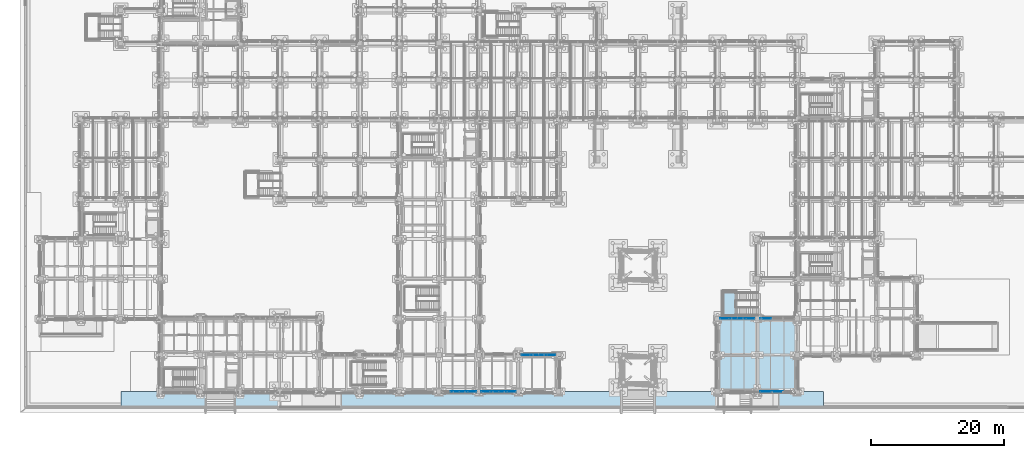
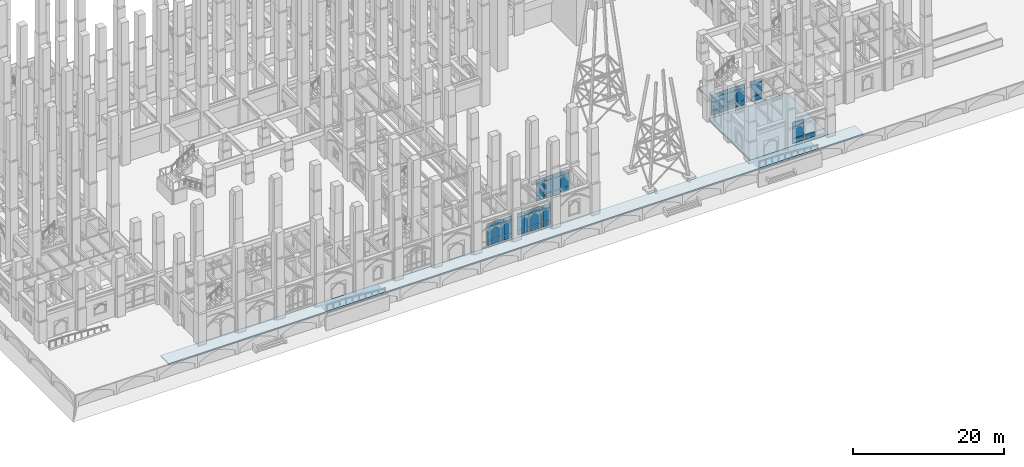
# One storey, part 54 of 135: 52 plates, 3 slabs, 7 elements without a shape of their own.
"""IFC4 building model written with IfcOpenShell, lengths in metres."""

from ifc_helpers import new_model, si_unit, direction, frame, origin, origin_2d, place, context, subcontext, project, spatial, polyline, rectangle, outline, extrude, material, layer, layer_set, type_object, element, aggregate, save


model = new_model("IFC4")

# Units and contexts
model_context = context("Model", 3, precision=1e-05, world=origin(), true_north=direction((0.0, 1.0)))
body_context = subcontext(model_context, "Body", "Model", "MODEL_VIEW")
ifc_project = project(units=[si_unit("LENGTHUNIT", "METRE"), si_unit("AREAUNIT", "SQUARE_METRE"), si_unit("VOLUMEUNIT", "CUBIC_METRE"), si_unit("PLANEANGLEUNIT", "RADIAN"), si_unit("MASSUNIT", "GRAM", prefix="KILO")], contexts=[model_context])

# Site, building, storey
site_placement = place(None, origin())
site = spatial("IfcSite", under=ifc_project, at=site_placement, CompositionType="ELEMENT")
building_placement = place(site_placement, origin())
building = spatial("IfcBuilding", under=site, at=building_placement, Name="Cumevento Cable Car Station", CompositionType="ELEMENT")
storey_placement = place(building_placement, origin())
storey = spatial("IfcBuildingStorey", under=building, at=storey_placement, Name="L01", CompositionType="ELEMENT", Elevation=0.0)

# Slabs
ifc_material_1 = material(Name="Concrete C40/50", Category="concrete")
ifc_layer_1 = layer(ifc_material_1, 0.330078125)
ifc_layer_set_1 = layer_set([ifc_layer_1], Name="Concrete C40/50")
slab_type_1 = type_object("IfcSlabType", Name="Concrete Deck BS-330 330", PredefinedType="BASESLAB", material=ifc_layer_set_1)
slab_1_placement = place(storey_placement, frame((0.0, 0.0, -0.330078125)))
element("IfcSlab", 1, at=slab_1_placement, inside=storey, type_object=slab_type_1, Name="Base Slab BS-330 L01 B_V2a.1", PredefinedType="BASESLAB", context=body_context, shape_type="SweptSolid", body=[
    extrude(outline(polyline([(106.0, 4.0), (118.0, 4.0), (118.0, 15.0), (106.0, 15.0), (106.0, 4.0)])), origin(), (0.0, 0.0, 1.0), 0.330078125),
])
ifc_material_2 = material(Name="Concrete C40/50", Category="concrete")
ifc_layer_2 = layer(ifc_material_2, 0.25)
ifc_layer_set_2 = layer_set([ifc_layer_2], Name="Concrete C40/50")
slab_type_2 = type_object("IfcSlabType", Name="Exterior Apron Slab AP-250", PredefinedType="BASESLAB", material=ifc_layer_set_2)
slab_2_placement = place(storey_placement, frame((0.0, 0.0, -0.25)))
element("IfcSlab", 2, at=slab_2_placement, inside=storey, type_object=slab_type_2, Name="Exterior Paved Apron apron_S_entry #1", PredefinedType="BASESLAB", context=body_context, shape_type="SweptSolid", body=[
    extrude(outline(polyline([(122.0, 4.0), (122.0, 1.800048828125), (16.0, 1.800048828125), (16.0, 4.0), (21.989990234375, 4.0), (21.989990234375, 3.9990234375), (21.990234375, 3.998046875), (21.990478515625, 3.9970703125), (21.99072265625, 3.99609375), (21.9912109375, 3.995361328125), (21.99169921875, 3.994384765625), (21.9921875, 3.99365234375), (21.992919921875, 3.992919921875), (21.99365234375, 3.9921875), (21.994384765625, 3.99169921875), (21.995361328125, 3.9912109375), (21.99609375, 3.99072265625), (21.9970703125, 3.990478515625), (21.998046875, 3.990234375), (21.9990234375, 3.989990234375), (22.0, 3.989990234375), (82.0, 3.989990234375), (82.0009765625, 3.989990234375), (82.001953125, 3.990234375), (82.0029296875, 3.990478515625), (82.00390625, 3.99072265625), (82.004638671875, 3.9912109375), (82.005615234375, 3.99169921875), (82.00634765625, 3.9921875), (82.007080078125, 3.992919921875), (82.0078125, 3.99365234375), (82.00830078125, 3.994384765625), (82.0087890625, 3.995361328125), (82.00927734375, 3.99609375), (82.009521484375, 3.9970703125), (82.009765625, 3.998046875), (82.010009765625, 3.9990234375), (82.010009765625, 4.0), (105.989990234375, 4.0), (105.989990234375, 3.9990234375), (105.990234375, 3.998046875), (105.990478515625, 3.9970703125), (105.99072265625, 3.99609375), (105.9912109375, 3.995361328125), (105.99169921875, 3.994384765625), (105.9921875, 3.99365234375), (105.992919921875, 3.992919921875), (105.99365234375, 3.9921875), (105.994384765625, 3.99169921875), (105.995361328125, 3.9912109375), (105.99609375, 3.99072265625), (105.9970703125, 3.990478515625), (105.998046875, 3.990234375), (105.9990234375, 3.989990234375), (106.0, 3.989990234375), (118.0, 3.989990234375), (118.0009765625, 3.989990234375), (118.001953125, 3.990234375), (118.0029296875, 3.990478515625), (118.00390625, 3.99072265625), (118.004638671875, 3.9912109375), (118.005615234375, 3.99169921875), (118.00634765625, 3.9921875), (118.007080078125, 3.992919921875), (118.0078125, 3.99365234375), (118.00830078125, 3.994384765625), (118.0087890625, 3.995361328125), (118.00927734375, 3.99609375), (118.009521484375, 3.9970703125), (118.009765625, 3.998046875), (118.010009765625, 3.9990234375), (118.010009765625, 4.0), (122.0, 4.0)])), origin(), (0.0, 0.0, 1.0), 0.25),
])

# Curtain wall, plates
ifc_material_3 = material(Name="Anodised Bronze Aluminium AW-6063-T6", Category="aluminium")
ifc_layer_3 = layer(ifc_material_3, 0.2080078125)
ifc_layer_set_3 = layer_set([ifc_layer_3], Name="Anodised Bronze Aluminium AW-6063-T6")
curtain_wall_type_1 = type_object("IfcCurtainWallType", Name="Lancet Curtain Wall CW-09 1370", PredefinedType="NOTDEFINED", material=ifc_layer_set_3)
curtain_wall_1_placement = place(storey_placement, origin())
curtain_wall_1 = element("IfcCurtainWall", 3, at=curtain_wall_1_placement, inside=storey, type_object=curtain_wall_type_1, Name="Lancet Curtain Wall CW-09 L01 #8", PredefinedType="NOTDEFINED")
ifc_material_4 = material(Name="Insulated Bronze Aluminium Spandrel Panel", Category="aluminium")
ifc_layer_4 = layer(ifc_material_4, 0.054931640625)
ifc_layer_set_4 = layer_set([ifc_layer_4], Name="Insulated Bronze Aluminium Spandrel Panel")
plate_type_1 = type_object("IfcPlateType", Name="Spandrel Panel CWP-09 55", PredefinedType="CURTAIN_PANEL", material=ifc_layer_set_4)
plate_1_placement = place(storey_placement, frame((68.996337890625, 4.0, 0.22509765625), z_axis=(0.0, 0.0, 1.0), x_axis=(-1.0, 0.0, 0.0)))
plate_1 = element("IfcPlate", 4, at=plate_1_placement, type_object=plate_type_1, Name="CW-09 panel 1.1", PredefinedType="CURTAIN_PANEL", context=body_context, shape_type="SweptSolid", body=[
    extrude(rectangle(XDim=1.2275390625, YDim=0.054931640625, at=origin_2d()), origin(), (0.0, 0.0, 1.0), 0.75244140625),
])
plate_2_placement = place(storey_placement, frame((68.996337890625, 4.0, 1.04248046875), z_axis=(0.0, 0.0, 1.0), x_axis=(-1.0, 0.0, 0.0)))
plate_2 = element("IfcPlate", 5, at=plate_2_placement, type_object=plate_type_1, Name="CW-09 panel 1.2", PredefinedType="CURTAIN_PANEL", context=body_context, shape_type="SweptSolid", body=[
    extrude(rectangle(XDim=1.2275390625, YDim=0.054931640625, at=origin_2d()), origin(), (0.0, 0.0, 1.0), 2.093994140625),
])
plate_3_placement = place(storey_placement, frame((68.996337890625, 4.0, 3.201416015625), z_axis=(0.0, 0.0, 1.0), x_axis=(-1.0, 0.0, 0.0)))
plate_3 = element("IfcPlate", 6, at=plate_3_placement, type_object=plate_type_1, Name="CW-09 panel 1.3", PredefinedType="CURTAIN_PANEL", context=body_context, shape_type="SweptSolid", body=[
    extrude(rectangle(XDim=1.2275390625, YDim=0.054931640625, at=origin_2d()), origin(), (0.0, 0.0, 1.0), 0.6025390625),
])
plate_4_placement = place(storey_placement, frame((67.6875, 4.0, 0.22509765625), z_axis=(0.0, 0.0, 1.0), x_axis=(-1.0, 0.0, 0.0)))
plate_4 = element("IfcPlate", 7, at=plate_4_placement, type_object=plate_type_1, Name="CW-09 panel 2.1", PredefinedType="CURTAIN_PANEL", context=body_context, shape_type="SweptSolid", body=[
    extrude(rectangle(XDim=1.260009765625, YDim=0.054931640625, at=origin_2d()), origin(), (0.0, 0.0, 1.0), 0.75244140625),
])
plate_5_placement = place(storey_placement, frame((67.6875, 4.0, 1.04248046875), z_axis=(0.0, 0.0, 1.0), x_axis=(-1.0, 0.0, 0.0)))
plate_5 = element("IfcPlate", 8, at=plate_5_placement, type_object=plate_type_1, Name="CW-09 panel 2.2", PredefinedType="CURTAIN_PANEL", context=body_context, shape_type="SweptSolid", body=[
    extrude(rectangle(XDim=1.260009765625, YDim=0.054931640625, at=origin_2d()), origin(), (0.0, 0.0, 1.0), 2.093994140625),
])
plate_6_placement = place(storey_placement, frame((67.6875, 4.0, 3.201416015625), z_axis=(0.0, 0.0, 1.0), x_axis=(-1.0, 0.0, 0.0)))
plate_6 = element("IfcPlate", 9, at=plate_6_placement, type_object=plate_type_1, Name="CW-09 panel 2.3", PredefinedType="CURTAIN_PANEL", context=body_context, shape_type="SweptSolid", body=[
    extrude(rectangle(XDim=1.260009765625, YDim=0.054931640625, at=origin_2d()), origin(), (0.0, 0.0, 1.0), 0.6025390625),
])
plate_7_placement = place(storey_placement, frame((66.362548828125, 4.0, 0.22509765625), z_axis=(0.0, 0.0, 1.0), x_axis=(-1.0, 0.0, 0.0)))
plate_7 = element("IfcPlate", 10, at=plate_7_placement, type_object=plate_type_1, Name="CW-09 panel 3.1", PredefinedType="CURTAIN_PANEL", context=body_context, shape_type="SweptSolid", body=[
    extrude(rectangle(XDim=1.260009765625, YDim=0.054931640625, at=origin_2d()), origin(), (0.0, 0.0, 1.0), 0.75244140625),
])
plate_8_placement = place(storey_placement, frame((66.362548828125, 4.0, 1.04248046875), z_axis=(0.0, 0.0, 1.0), x_axis=(-1.0, 0.0, 0.0)))
plate_8 = element("IfcPlate", 11, at=plate_8_placement, type_object=plate_type_1, Name="CW-09 panel 3.2", PredefinedType="CURTAIN_PANEL", context=body_context, shape_type="SweptSolid", body=[
    extrude(rectangle(XDim=1.260009765625, YDim=0.054931640625, at=origin_2d()), origin(), (0.0, 0.0, 1.0), 2.093994140625),
])
plate_9_placement = place(storey_placement, frame((66.362548828125, 4.0, 3.201416015625), z_axis=(0.0, 0.0, 1.0), x_axis=(-1.0, 0.0, 0.0)))
plate_9 = element("IfcPlate", 12, at=plate_9_placement, type_object=plate_type_1, Name="CW-09 panel 3.3", PredefinedType="CURTAIN_PANEL", context=body_context, shape_type="SweptSolid", body=[
    extrude(rectangle(XDim=1.260009765625, YDim=0.054931640625, at=origin_2d()), origin(), (0.0, 0.0, 1.0), 0.6025390625),
])
aggregate(curtain_wall_1, [plate_1, plate_2, plate_3, plate_4, plate_5, plate_6, plate_7, plate_8, plate_9])

ifc_material_5 = material(Name="Anodised Bronze Aluminium AW-6063-T6", Category="aluminium")
ifc_layer_5 = layer(ifc_material_5, 0.214111328125)
ifc_layer_set_5 = layer_set([ifc_layer_5], Name="Anodised Bronze Aluminium AW-6063-T6")
curtain_wall_type_2 = type_object("IfcCurtainWallType", Name="Lancet Curtain Wall CW-10 1410", PredefinedType="NOTDEFINED", material=ifc_layer_set_5)
curtain_wall_2_placement = place(storey_placement, origin())
curtain_wall_2 = element("IfcCurtainWall", 13, at=curtain_wall_2_placement, inside=storey, type_object=curtain_wall_type_2, Name="Lancet Curtain Wall CW-10 L01 #9", PredefinedType="NOTDEFINED")
ifc_material_6 = material(Name="Insulated Bronze Aluminium Spandrel Panel", Category="aluminium")
ifc_layer_6 = layer(ifc_material_6, 0.06005859375)
ifc_layer_set_6 = layer_set([ifc_layer_6], Name="Insulated Bronze Aluminium Spandrel Panel")
plate_type_2 = type_object("IfcPlateType", Name="Spandrel Panel CWP-10 60", PredefinedType="CURTAIN_PANEL", material=ifc_layer_set_6)
plate_10_placement = place(storey_placement, frame((74.9462890625, 4.0, 0.275146484375), z_axis=(0.0, 0.0, 1.0), x_axis=(-1.0, 0.0, 0.0)))
plate_10 = element("IfcPlate", 14, at=plate_10_placement, type_object=plate_type_2, Name="CW-10 panel 1.1", PredefinedType="CURTAIN_PANEL", context=body_context, shape_type="SweptSolid", body=[
    extrude(rectangle(XDim=1.2275390625, YDim=0.06005859375, at=origin_2d()), origin(), (0.0, 0.0, 1.0), 0.75244140625),
])
plate_11_placement = place(storey_placement, frame((74.9462890625, 4.0, 1.092529296875), z_axis=(0.0, 0.0, 1.0), x_axis=(-1.0, 0.0, 0.0)))
plate_11 = element("IfcPlate", 15, at=plate_11_placement, type_object=plate_type_2, Name="CW-10 panel 1.2", PredefinedType="CURTAIN_PANEL", context=body_context, shape_type="SweptSolid", body=[
    extrude(rectangle(XDim=1.2275390625, YDim=0.06005859375, at=origin_2d()), origin(), (0.0, 0.0, 1.0), 2.0439453125),
])
plate_12_placement = place(storey_placement, frame((74.9462890625, 4.0, 3.201416015625), z_axis=(0.0, 0.0, 1.0), x_axis=(-1.0, 0.0, 0.0)))
plate_12 = element("IfcPlate", 16, at=plate_12_placement, type_object=plate_type_2, Name="CW-10 panel 1.3", PredefinedType="CURTAIN_PANEL", context=body_context, shape_type="SweptSolid", body=[
    extrude(rectangle(XDim=1.2275390625, YDim=0.06005859375, at=origin_2d()), origin(), (0.0, 0.0, 1.0), 0.6025390625),
])
plate_13_placement = place(storey_placement, frame((73.637451171875, 4.0, 0.275146484375), z_axis=(0.0, 0.0, 1.0), x_axis=(-1.0, 0.0, 0.0)))
plate_13 = element("IfcPlate", 17, at=plate_13_placement, type_object=plate_type_2, Name="CW-10 panel 2.1", PredefinedType="CURTAIN_PANEL", context=body_context, shape_type="SweptSolid", body=[
    extrude(rectangle(XDim=1.260009765625, YDim=0.06005859375, at=origin_2d()), origin(), (0.0, 0.0, 1.0), 0.75244140625),
])
plate_14_placement = place(storey_placement, frame((73.637451171875, 4.0, 1.092529296875), z_axis=(0.0, 0.0, 1.0), x_axis=(-1.0, 0.0, 0.0)))
plate_14 = element("IfcPlate", 18, at=plate_14_placement, type_object=plate_type_2, Name="CW-10 panel 2.2", PredefinedType="CURTAIN_PANEL", context=body_context, shape_type="SweptSolid", body=[
    extrude(rectangle(XDim=1.260009765625, YDim=0.06005859375, at=origin_2d()), origin(), (0.0, 0.0, 1.0), 2.0439453125),
])
plate_15_placement = place(storey_placement, frame((73.637451171875, 4.0, 3.201416015625), z_axis=(0.0, 0.0, 1.0), x_axis=(-1.0, 0.0, 0.0)))
plate_15 = element("IfcPlate", 19, at=plate_15_placement, type_object=plate_type_2, Name="CW-10 panel 2.3", PredefinedType="CURTAIN_PANEL", context=body_context, shape_type="SweptSolid", body=[
    extrude(rectangle(XDim=1.260009765625, YDim=0.06005859375, at=origin_2d()), origin(), (0.0, 0.0, 1.0), 0.6025390625),
])
plate_16_placement = place(storey_placement, frame((72.3125, 4.0, 0.275146484375), z_axis=(0.0, 0.0, 1.0), x_axis=(-1.0, 0.0, 0.0)))
plate_16 = element("IfcPlate", 20, at=plate_16_placement, type_object=plate_type_2, Name="CW-10 panel 3.1", PredefinedType="CURTAIN_PANEL", context=body_context, shape_type="SweptSolid", body=[
    extrude(rectangle(XDim=1.260009765625, YDim=0.06005859375, at=origin_2d()), origin(), (0.0, 0.0, 1.0), 0.75244140625),
])
plate_17_placement = place(storey_placement, frame((72.3125, 4.0, 1.092529296875), z_axis=(0.0, 0.0, 1.0), x_axis=(-1.0, 0.0, 0.0)))
plate_17 = element("IfcPlate", 21, at=plate_17_placement, type_object=plate_type_2, Name="CW-10 panel 3.2", PredefinedType="CURTAIN_PANEL", context=body_context, shape_type="SweptSolid", body=[
    extrude(rectangle(XDim=1.260009765625, YDim=0.06005859375, at=origin_2d()), origin(), (0.0, 0.0, 1.0), 2.0439453125),
])
plate_18_placement = place(storey_placement, frame((72.3125, 4.0, 3.201416015625), z_axis=(0.0, 0.0, 1.0), x_axis=(-1.0, 0.0, 0.0)))
plate_18 = element("IfcPlate", 22, at=plate_18_placement, type_object=plate_type_2, Name="CW-10 panel 3.3", PredefinedType="CURTAIN_PANEL", context=body_context, shape_type="SweptSolid", body=[
    extrude(rectangle(XDim=1.260009765625, YDim=0.06005859375, at=origin_2d()), origin(), (0.0, 0.0, 1.0), 0.6025390625),
])
plate_19_placement = place(storey_placement, frame((71.003662109375, 4.0, 0.275146484375), z_axis=(0.0, 0.0, 1.0), x_axis=(-1.0, 0.0, 0.0)))
plate_19 = element("IfcPlate", 23, at=plate_19_placement, type_object=plate_type_2, Name="CW-10 panel 4.1", PredefinedType="CURTAIN_PANEL", context=body_context, shape_type="SweptSolid", body=[
    extrude(rectangle(XDim=1.2275390625, YDim=0.06005859375, at=origin_2d()), origin(), (0.0, 0.0, 1.0), 0.75244140625),
])
plate_20_placement = place(storey_placement, frame((71.003662109375, 4.0, 1.092529296875), z_axis=(0.0, 0.0, 1.0), x_axis=(-1.0, 0.0, 0.0)))
plate_20 = element("IfcPlate", 24, at=plate_20_placement, type_object=plate_type_2, Name="CW-10 panel 4.2", PredefinedType="CURTAIN_PANEL", context=body_context, shape_type="SweptSolid", body=[
    extrude(rectangle(XDim=1.2275390625, YDim=0.06005859375, at=origin_2d()), origin(), (0.0, 0.0, 1.0), 2.0439453125),
])
plate_21_placement = place(storey_placement, frame((71.003662109375, 4.0, 3.201416015625), z_axis=(0.0, 0.0, 1.0), x_axis=(-1.0, 0.0, 0.0)))
plate_21 = element("IfcPlate", 25, at=plate_21_placement, type_object=plate_type_2, Name="CW-10 panel 4.3", PredefinedType="CURTAIN_PANEL", context=body_context, shape_type="SweptSolid", body=[
    extrude(rectangle(XDim=1.2275390625, YDim=0.06005859375, at=origin_2d()), origin(), (0.0, 0.0, 1.0), 0.6025390625),
])
aggregate(curtain_wall_2, [plate_10, plate_11, plate_12, plate_13, plate_14, plate_15, plate_16, plate_17, plate_18, plate_19, plate_20, plate_21])

ifc_material_7 = material(Name="Anodised Bronze Aluminium AW-6063-T6", Category="aluminium")
ifc_layer_7 = layer(ifc_material_7, 0.219970703125)
ifc_layer_set_7 = layer_set([ifc_layer_7], Name="Anodised Bronze Aluminium AW-6063-T6")
curtain_wall_type_3 = type_object("IfcCurtainWallType", Name="Lancet Curtain Wall CW-11 1450", PredefinedType="NOTDEFINED", material=ifc_layer_set_7)
curtain_wall_3_placement = place(storey_placement, origin())
curtain_wall_3 = element("IfcCurtainWall", 26, at=curtain_wall_3_placement, inside=storey, type_object=curtain_wall_type_3, Name="Lancet Curtain Wall CW-11 L01 #10", PredefinedType="NOTDEFINED")
ifc_material_8 = material(Name="Insulated Bronze Aluminium Spandrel Panel", Category="aluminium")
ifc_layer_8 = layer(ifc_material_8, 0.06591796875)
ifc_layer_set_8 = layer_set([ifc_layer_8], Name="Insulated Bronze Aluminium Spandrel Panel")
plate_type_3 = type_object("IfcPlateType", Name="Spandrel Panel CWP-11 66", PredefinedType="CURTAIN_PANEL", material=ifc_layer_set_8)
plate_22_placement = place(storey_placement, frame((77.0693359375, 9.5, 0.324951171875), z_axis=(0.0, 0.0, 1.0), x_axis=(1.0, 0.0, 0.0)))
plate_22 = element("IfcPlate", 27, at=plate_22_placement, type_object=plate_type_3, Name="CW-11 panel 1.1", PredefinedType="CURTAIN_PANEL", context=body_context, shape_type="SweptSolid", body=[
    extrude(rectangle(XDim=1.208740234375, YDim=0.06591796875, at=origin_2d()), origin(), (0.0, 0.0, 1.0), 0.75244140625),
])
plate_23_placement = place(storey_placement, frame((77.0693359375, 9.5, 1.142578125), z_axis=(0.0, 0.0, 1.0), x_axis=(1.0, 0.0, 0.0)))
plate_23 = element("IfcPlate", 28, at=plate_23_placement, type_object=plate_type_3, Name="CW-11 panel 1.2", PredefinedType="CURTAIN_PANEL", context=body_context, shape_type="SweptSolid", body=[
    extrude(rectangle(XDim=1.208740234375, YDim=0.06591796875, at=origin_2d()), origin(), (0.0, 0.0, 1.0), 1.993896484375),
])
plate_24_placement = place(storey_placement, frame((77.0693359375, 9.5, 3.201416015625), z_axis=(0.0, 0.0, 1.0), x_axis=(1.0, 0.0, 0.0)))
plate_24 = element("IfcPlate", 29, at=plate_24_placement, type_object=plate_type_3, Name="CW-11 panel 1.3", PredefinedType="CURTAIN_PANEL", context=body_context, shape_type="SweptSolid", body=[
    extrude(rectangle(XDim=1.208740234375, YDim=0.06591796875, at=origin_2d()), origin(), (0.0, 0.0, 1.0), 0.6025390625),
])
plate_25_placement = place(storey_placement, frame((78.359375, 9.5, 0.324951171875), z_axis=(0.0, 0.0, 1.0), x_axis=(1.0, 0.0, 0.0)))
plate_25 = element("IfcPlate", 30, at=plate_25_placement, type_object=plate_type_3, Name="CW-11 panel 2.1", PredefinedType="CURTAIN_PANEL", context=body_context, shape_type="SweptSolid", body=[
    extrude(rectangle(XDim=1.2412109375, YDim=0.06591796875, at=origin_2d()), origin(), (0.0, 0.0, 1.0), 0.75244140625),
])
plate_26_placement = place(storey_placement, frame((78.359375, 9.5, 1.142578125), z_axis=(0.0, 0.0, 1.0), x_axis=(1.0, 0.0, 0.0)))
plate_26 = element("IfcPlate", 31, at=plate_26_placement, type_object=plate_type_3, Name="CW-11 panel 2.2", PredefinedType="CURTAIN_PANEL", context=body_context, shape_type="SweptSolid", body=[
    extrude(rectangle(XDim=1.2412109375, YDim=0.06591796875, at=origin_2d()), origin(), (0.0, 0.0, 1.0), 1.993896484375),
])
plate_27_placement = place(storey_placement, frame((78.359375, 9.5, 3.201416015625), z_axis=(0.0, 0.0, 1.0), x_axis=(1.0, 0.0, 0.0)))
plate_27 = element("IfcPlate", 32, at=plate_27_placement, type_object=plate_type_3, Name="CW-11 panel 2.3", PredefinedType="CURTAIN_PANEL", context=body_context, shape_type="SweptSolid", body=[
    extrude(rectangle(XDim=1.2412109375, YDim=0.06591796875, at=origin_2d()), origin(), (0.0, 0.0, 1.0), 0.6025390625),
])
plate_28_placement = place(storey_placement, frame((79.66552734375, 9.5, 0.324951171875), z_axis=(0.0, 0.0, 1.0), x_axis=(1.0, 0.0, 0.0)))
plate_28 = element("IfcPlate", 33, at=plate_28_placement, type_object=plate_type_3, Name="CW-11 panel 3.1", PredefinedType="CURTAIN_PANEL", context=body_context, shape_type="SweptSolid", body=[
    extrude(rectangle(XDim=1.2412109375, YDim=0.06591796875, at=origin_2d()), origin(), (0.0, 0.0, 1.0), 0.75244140625),
])
plate_29_placement = place(storey_placement, frame((79.66552734375, 9.5, 1.142578125), z_axis=(0.0, 0.0, 1.0), x_axis=(1.0, 0.0, 0.0)))
plate_29 = element("IfcPlate", 34, at=plate_29_placement, type_object=plate_type_3, Name="CW-11 panel 3.2", PredefinedType="CURTAIN_PANEL", context=body_context, shape_type="SweptSolid", body=[
    extrude(rectangle(XDim=1.2412109375, YDim=0.06591796875, at=origin_2d()), origin(), (0.0, 0.0, 1.0), 1.993896484375),
])
plate_30_placement = place(storey_placement, frame((79.66552734375, 9.5, 3.201416015625), z_axis=(0.0, 0.0, 1.0), x_axis=(1.0, 0.0, 0.0)))
plate_30 = element("IfcPlate", 35, at=plate_30_placement, type_object=plate_type_3, Name="CW-11 panel 3.3", PredefinedType="CURTAIN_PANEL", context=body_context, shape_type="SweptSolid", body=[
    extrude(rectangle(XDim=1.2412109375, YDim=0.06591796875, at=origin_2d()), origin(), (0.0, 0.0, 1.0), 0.6025390625),
])
plate_31_placement = place(storey_placement, frame((80.95556640625, 9.5, 0.324951171875), z_axis=(0.0, 0.0, 1.0), x_axis=(1.0, 0.0, 0.0)))
plate_31 = element("IfcPlate", 36, at=plate_31_placement, type_object=plate_type_3, Name="CW-11 panel 4.1", PredefinedType="CURTAIN_PANEL", context=body_context, shape_type="SweptSolid", body=[
    extrude(rectangle(XDim=1.208740234375, YDim=0.06591796875, at=origin_2d()), origin(), (0.0, 0.0, 1.0), 0.75244140625),
])
plate_32_placement = place(storey_placement, frame((80.95556640625, 9.5, 1.142578125), z_axis=(0.0, 0.0, 1.0), x_axis=(1.0, 0.0, 0.0)))
plate_32 = element("IfcPlate", 37, at=plate_32_placement, type_object=plate_type_3, Name="CW-11 panel 4.2", PredefinedType="CURTAIN_PANEL", context=body_context, shape_type="SweptSolid", body=[
    extrude(rectangle(XDim=1.208740234375, YDim=0.06591796875, at=origin_2d()), origin(), (0.0, 0.0, 1.0), 1.993896484375),
])
plate_33_placement = place(storey_placement, frame((80.95556640625, 9.5, 3.201416015625), z_axis=(0.0, 0.0, 1.0), x_axis=(1.0, 0.0, 0.0)))
plate_33 = element("IfcPlate", 38, at=plate_33_placement, type_object=plate_type_3, Name="CW-11 panel 4.3", PredefinedType="CURTAIN_PANEL", context=body_context, shape_type="SweptSolid", body=[
    extrude(rectangle(XDim=1.208740234375, YDim=0.06591796875, at=origin_2d()), origin(), (0.0, 0.0, 1.0), 0.6025390625),
])
aggregate(curtain_wall_3, [plate_22, plate_23, plate_24, plate_25, plate_26, plate_27, plate_28, plate_29, plate_30, plate_31, plate_32, plate_33])

ifc_material_9 = material(Name="Anodised Bronze Aluminium AW-6063-T6", Category="aluminium")
ifc_layer_9 = layer(ifc_material_9, 0.22607421875)
ifc_layer_set_9 = layer_set([ifc_layer_9], Name="Anodised Bronze Aluminium AW-6063-T6")
curtain_wall_type_4 = type_object("IfcCurtainWallType", Name="Lancet Curtain Wall CW-12 1490", PredefinedType="NOTDEFINED", material=ifc_layer_set_9)
curtain_wall_4_placement = place(storey_placement, origin())
curtain_wall_4 = element("IfcCurtainWall", 39, at=curtain_wall_4_placement, inside=storey, type_object=curtain_wall_type_4, Name="Lancet Curtain Wall CW-12 L01 #11", PredefinedType="NOTDEFINED")
ifc_material_10 = material(Name="Insulated Bronze Aluminium Spandrel Panel", Category="aluminium")
ifc_layer_10 = layer(ifc_material_10, 0.072021484375)
ifc_layer_set_10 = layer_set([ifc_layer_10], Name="Insulated Bronze Aluminium Spandrel Panel")
plate_type_4 = type_object("IfcPlateType", Name="Spandrel Panel CWP-12 72", PredefinedType="CURTAIN_PANEL", material=ifc_layer_set_10)
plate_34_placement = place(storey_placement, frame((107.025634765625, 15.0, 0.375), z_axis=(0.0, 0.0, 1.0), x_axis=(1.0, 0.0, 0.0)))
plate_34 = element("IfcPlate", 40, at=plate_34_placement, type_object=plate_type_4, Name="CW-12 panel 1.1", PredefinedType="CURTAIN_PANEL", context=body_context, shape_type="SweptSolid", body=[
    extrude(rectangle(XDim=1.22119140625, YDim=0.072021484375, at=origin_2d()), origin(), (0.0, 0.0, 1.0), 0.75244140625),
])
plate_35_placement = place(storey_placement, frame((107.025634765625, 15.0, 1.192626953125), z_axis=(0.0, 0.0, 1.0), x_axis=(1.0, 0.0, 0.0)))
plate_35 = element("IfcPlate", 41, at=plate_35_placement, type_object=plate_type_4, Name="CW-12 panel 1.2", PredefinedType="CURTAIN_PANEL", context=body_context, shape_type="SweptSolid", body=[
    extrude(rectangle(XDim=1.22119140625, YDim=0.072021484375, at=origin_2d()), origin(), (0.0, 0.0, 1.0), 1.91796875),
])
plate_36_placement = place(storey_placement, frame((107.025634765625, 15.0, 3.175537109375), z_axis=(0.0, 0.0, 1.0), x_axis=(1.0, 0.0, 0.0)))
plate_36 = element("IfcPlate", 42, at=plate_36_placement, type_object=plate_type_4, Name="CW-12 panel 1.3", PredefinedType="CURTAIN_PANEL", context=body_context, shape_type="SweptSolid", body=[
    extrude(rectangle(XDim=1.22119140625, YDim=0.072021484375, at=origin_2d()), origin(), (0.0, 0.0, 1.0), 0.6025390625),
])
plate_37_placement = place(storey_placement, frame((108.328125, 15.0, 0.375), z_axis=(0.0, 0.0, 1.0), x_axis=(1.0, 0.0, 0.0)))
plate_37 = element("IfcPlate", 43, at=plate_37_placement, type_object=plate_type_4, Name="CW-12 panel 2.1", PredefinedType="CURTAIN_PANEL", context=body_context, shape_type="SweptSolid", body=[
    extrude(rectangle(XDim=1.253662109375, YDim=0.072021484375, at=origin_2d()), origin(), (0.0, 0.0, 1.0), 0.75244140625),
])
plate_38_placement = place(storey_placement, frame((108.328125, 15.0, 1.192626953125), z_axis=(0.0, 0.0, 1.0), x_axis=(1.0, 0.0, 0.0)))
plate_38 = element("IfcPlate", 44, at=plate_38_placement, type_object=plate_type_4, Name="CW-12 panel 2.2", PredefinedType="CURTAIN_PANEL", context=body_context, shape_type="SweptSolid", body=[
    extrude(rectangle(XDim=1.253662109375, YDim=0.072021484375, at=origin_2d()), origin(), (0.0, 0.0, 1.0), 1.91796875),
])
plate_39_placement = place(storey_placement, frame((108.328125, 15.0, 3.175537109375), z_axis=(0.0, 0.0, 1.0), x_axis=(1.0, 0.0, 0.0)))
plate_39 = element("IfcPlate", 45, at=plate_39_placement, type_object=plate_type_4, Name="CW-12 panel 2.3", PredefinedType="CURTAIN_PANEL", context=body_context, shape_type="SweptSolid", body=[
    extrude(rectangle(XDim=1.253662109375, YDim=0.072021484375, at=origin_2d()), origin(), (0.0, 0.0, 1.0), 0.6025390625),
])
plate_40_placement = place(storey_placement, frame((109.64697265625, 15.0, 0.375), z_axis=(0.0, 0.0, 1.0), x_axis=(1.0, 0.0, 0.0)))
plate_40 = element("IfcPlate", 46, at=plate_40_placement, type_object=plate_type_4, Name="CW-12 panel 3.1", PredefinedType="CURTAIN_PANEL", context=body_context, shape_type="SweptSolid", body=[
    extrude(rectangle(XDim=1.253662109375, YDim=0.072021484375, at=origin_2d()), origin(), (0.0, 0.0, 1.0), 0.75244140625),
])
plate_41_placement = place(storey_placement, frame((109.64697265625, 15.0, 1.192626953125), z_axis=(0.0, 0.0, 1.0), x_axis=(1.0, 0.0, 0.0)))
plate_41 = element("IfcPlate", 47, at=plate_41_placement, type_object=plate_type_4, Name="CW-12 panel 3.2", PredefinedType="CURTAIN_PANEL", context=body_context, shape_type="SweptSolid", body=[
    extrude(rectangle(XDim=1.253662109375, YDim=0.072021484375, at=origin_2d()), origin(), (0.0, 0.0, 1.0), 1.91796875),
])
plate_42_placement = place(storey_placement, frame((109.64697265625, 15.0, 3.175537109375), z_axis=(0.0, 0.0, 1.0), x_axis=(1.0, 0.0, 0.0)))
plate_42 = element("IfcPlate", 48, at=plate_42_placement, type_object=plate_type_4, Name="CW-12 panel 3.3", PredefinedType="CURTAIN_PANEL", context=body_context, shape_type="SweptSolid", body=[
    extrude(rectangle(XDim=1.253662109375, YDim=0.072021484375, at=origin_2d()), origin(), (0.0, 0.0, 1.0), 0.6025390625),
])
plate_43_placement = place(storey_placement, frame((110.949462890625, 15.0, 0.375), z_axis=(0.0, 0.0, 1.0), x_axis=(1.0, 0.0, 0.0)))
plate_43 = element("IfcPlate", 49, at=plate_43_placement, type_object=plate_type_4, Name="CW-12 panel 4.1", PredefinedType="CURTAIN_PANEL", context=body_context, shape_type="SweptSolid", body=[
    extrude(rectangle(XDim=1.22119140625, YDim=0.072021484375, at=origin_2d()), origin(), (0.0, 0.0, 1.0), 0.75244140625),
])
plate_44_placement = place(storey_placement, frame((110.949462890625, 15.0, 1.192626953125), z_axis=(0.0, 0.0, 1.0), x_axis=(1.0, 0.0, 0.0)))
plate_44 = element("IfcPlate", 50, at=plate_44_placement, type_object=plate_type_4, Name="CW-12 panel 4.2", PredefinedType="CURTAIN_PANEL", context=body_context, shape_type="SweptSolid", body=[
    extrude(rectangle(XDim=1.22119140625, YDim=0.072021484375, at=origin_2d()), origin(), (0.0, 0.0, 1.0), 1.91796875),
])
plate_45_placement = place(storey_placement, frame((110.949462890625, 15.0, 3.175537109375), z_axis=(0.0, 0.0, 1.0), x_axis=(1.0, 0.0, 0.0)))
plate_45 = element("IfcPlate", 51, at=plate_45_placement, type_object=plate_type_4, Name="CW-12 panel 4.3", PredefinedType="CURTAIN_PANEL", context=body_context, shape_type="SweptSolid", body=[
    extrude(rectangle(XDim=1.22119140625, YDim=0.072021484375, at=origin_2d()), origin(), (0.0, 0.0, 1.0), 0.6025390625),
])
aggregate(curtain_wall_4, [plate_34, plate_35, plate_36, plate_37, plate_38, plate_39, plate_40, plate_41, plate_42, plate_43, plate_44, plate_45])

ifc_material_11 = material(Name="Anodised Bronze Aluminium AW-6063-T6", Category="aluminium")
ifc_layer_11 = layer(ifc_material_11, 0.23193359375)
ifc_layer_set_11 = layer_set([ifc_layer_11], Name="Anodised Bronze Aluminium AW-6063-T6")
curtain_wall_type_5 = type_object("IfcCurtainWallType", Name="Lancet Curtain Wall CW-13 1530", PredefinedType="NOTDEFINED", material=ifc_layer_set_11)
curtain_wall_5_placement = place(storey_placement, origin())
curtain_wall_5 = element("IfcCurtainWall", 52, at=curtain_wall_5_placement, inside=storey, type_object=curtain_wall_type_5, Name="Lancet Curtain Wall CW-13 L01 #12", PredefinedType="NOTDEFINED")
ifc_material_12 = material(Name="Insulated Bronze Aluminium Spandrel Panel", Category="aluminium")
ifc_layer_12 = layer(ifc_material_12, 0.077880859375)
ifc_layer_set_12 = layer_set([ifc_layer_12], Name="Insulated Bronze Aluminium Spandrel Panel")
plate_type_5 = type_object("IfcPlateType", Name="Spandrel Panel CWP-13 78", PredefinedType="CURTAIN_PANEL", material=ifc_layer_set_12)
plate_46_placement = place(storey_placement, frame((114.987548828125, 4.0, 0.425048828125), z_axis=(0.0, 0.0, 1.0), x_axis=(-1.0, 0.0, 0.0)))
plate_46 = element("IfcPlate", 53, at=plate_46_placement, type_object=plate_type_5, Name="CW-13 panel 2.1", PredefinedType="CURTAIN_PANEL", context=body_context, shape_type="SweptSolid", body=[
    extrude(rectangle(XDim=1.6767578125, YDim=0.077880859375, at=origin_2d()), origin(), (0.0, 0.0, 1.0), 0.75244140625),
])
plate_47_placement = place(storey_placement, frame((113.261962890625, 4.0, 0.425048828125), z_axis=(0.0, 0.0, 1.0), x_axis=(-1.0, 0.0, 0.0)))
plate_47 = element("IfcPlate", 54, at=plate_47_placement, type_object=plate_type_5, Name="CW-13 panel 3.1", PredefinedType="CURTAIN_PANEL", context=body_context, shape_type="SweptSolid", body=[
    extrude(rectangle(XDim=1.644287109375, YDim=0.077880859375, at=origin_2d()), origin(), (0.0, 0.0, 1.0), 0.75244140625),
])
plate_48_placement = place(storey_placement, frame((113.261962890625, 4.0, 1.24267578125), z_axis=(0.0, 0.0, 1.0), x_axis=(-1.0, 0.0, 0.0)))
plate_48 = element("IfcPlate", 55, at=plate_48_placement, type_object=plate_type_5, Name="CW-13 panel 3.2", PredefinedType="CURTAIN_PANEL", context=body_context, shape_type="SweptSolid", body=[
    extrude(rectangle(XDim=1.644287109375, YDim=0.077880859375, at=origin_2d()), origin(), (0.0, 0.0, 1.0), 1.882080078125),
])
plate_49_placement = place(storey_placement, frame((113.261962890625, 4.0, 3.189453125), z_axis=(0.0, 0.0, 1.0), x_axis=(-1.0, 0.0, 0.0)))
plate_49 = element("IfcPlate", 56, at=plate_49_placement, type_object=plate_type_5, Name="CW-13 panel 3.3", PredefinedType="CURTAIN_PANEL", context=body_context, shape_type="SweptSolid", body=[
    extrude(rectangle(XDim=1.644287109375, YDim=0.077880859375, at=origin_2d()), origin(), (0.0, 0.0, 1.0), 0.6025390625),
])
aggregate(curtain_wall_5, [plate_46, plate_47, plate_48, plate_49])

ifc_material_13 = material(Name="Anodised Bronze Aluminium AW-6063-T6", Category="aluminium")
ifc_layer_13 = layer(ifc_material_13, 0.238037109375)
ifc_layer_set_13 = layer_set([ifc_layer_13], Name="Anodised Bronze Aluminium AW-6063-T6")
curtain_wall_type_6 = type_object("IfcCurtainWallType", Name="Lancet Curtain Wall CW-14 1570", PredefinedType="NOTDEFINED", material=ifc_layer_set_13)
curtain_wall_6_placement = place(storey_placement, origin())
curtain_wall_6 = element("IfcCurtainWall", 57, at=curtain_wall_6_placement, inside=storey, type_object=curtain_wall_type_6, Name="Lancet Curtain Wall CW-14 L01 #13", PredefinedType="NOTDEFINED")
ifc_material_14 = material(Name="Insulated Bronze Aluminium Spandrel Panel", Category="aluminium")
ifc_layer_14 = layer(ifc_material_14, 0.0849609375)
ifc_layer_set_14 = layer_set([ifc_layer_14], Name="Insulated Bronze Aluminium Spandrel Panel")
plate_type_6 = type_object("IfcPlateType", Name="Spandrel Panel CWP-14 85", PredefinedType="CURTAIN_PANEL", material=ifc_layer_set_14)
plate_50_placement = place(storey_placement, frame((113.266357421875, 15.0, 0.47509765625), z_axis=(0.0, 0.0, 1.0), x_axis=(1.0, 0.0, 0.0)))
plate_50 = element("IfcPlate", 58, at=plate_50_placement, type_object=plate_type_6, Name="CW-14 panel 1.1", PredefinedType="CURTAIN_PANEL", context=body_context, shape_type="SweptSolid", body=[
    extrude(rectangle(XDim=1.652587890625, YDim=0.0849609375, at=origin_2d()), origin(), (0.0, 0.0, 1.0), 0.75244140625),
])
plate_51_placement = place(storey_placement, frame((113.266357421875, 15.0, 1.29248046875), z_axis=(0.0, 0.0, 1.0), x_axis=(1.0, 0.0, 0.0)))
plate_51 = element("IfcPlate", 59, at=plate_51_placement, type_object=plate_type_6, Name="CW-14 panel 1.2", PredefinedType="CURTAIN_PANEL", context=body_context, shape_type="SweptSolid", body=[
    extrude(rectangle(XDim=1.652587890625, YDim=0.0849609375, at=origin_2d()), origin(), (0.0, 0.0, 1.0), 1.7958984375),
])
plate_52_placement = place(storey_placement, frame((113.266357421875, 15.0, 3.153564453125), z_axis=(0.0, 0.0, 1.0), x_axis=(1.0, 0.0, 0.0)))
plate_52 = element("IfcPlate", 60, at=plate_52_placement, type_object=plate_type_6, Name="CW-14 panel 1.3", PredefinedType="CURTAIN_PANEL", context=body_context, shape_type="SweptSolid", body=[
    extrude(rectangle(XDim=1.652587890625, YDim=0.0849609375, at=origin_2d()), origin(), (0.0, 0.0, 1.0), 0.6025390625),
])
aggregate(curtain_wall_6, [plate_50, plate_51, plate_52])

# Stair, slab
ifc_material_15 = material(Name="Concrete C40/50", Category="concrete")
stair_type = type_object("IfcStairType", Name="Half-Turn Stair ST-T02 1290", PredefinedType="HALF_TURN_STAIR", material=ifc_material_15)
stair_placement = place(storey_placement, origin())
stair = element("IfcStair", 61, at=stair_placement, inside=storey, type_object=stair_type, Name="East Cloister Court Stepped Stone Stair L01-L02", PredefinedType="HALF_TURN_STAIR")
ifc_material_16 = material(Name="Concrete C40/50", Category="concrete")
ifc_layer_15 = layer(ifc_material_16, 0.19091796875)
ifc_layer_set_15 = layer_set([ifc_layer_15], Name="Concrete C40/50")
slab_type_3 = type_object("IfcSlabType", Name="Stair Landing STL-T02 191", PredefinedType="LANDING", material=ifc_layer_set_15)
slab_3_placement = place(storey_placement, frame((0.0, 0.0, 2.05908203125)))
slab_3 = element("IfcSlab", 62, at=slab_3_placement, type_object=slab_type_3, Name="ST-15 Half-Landing", PredefinedType="LANDING", context=body_context, shape_type="SweptSolid", body=[
    extrude(outline(polyline([(106.820068359375, 15.320068359375), (108.800048828125, 15.320068359375), (108.800048828125, 19.080078125), (106.820068359375, 19.080078125), (106.820068359375, 15.320068359375)])), origin(), (0.0, 0.0, 1.0), 0.19091796875),
])
aggregate(stair, [slab_3])

save(model, "model.ifc")
